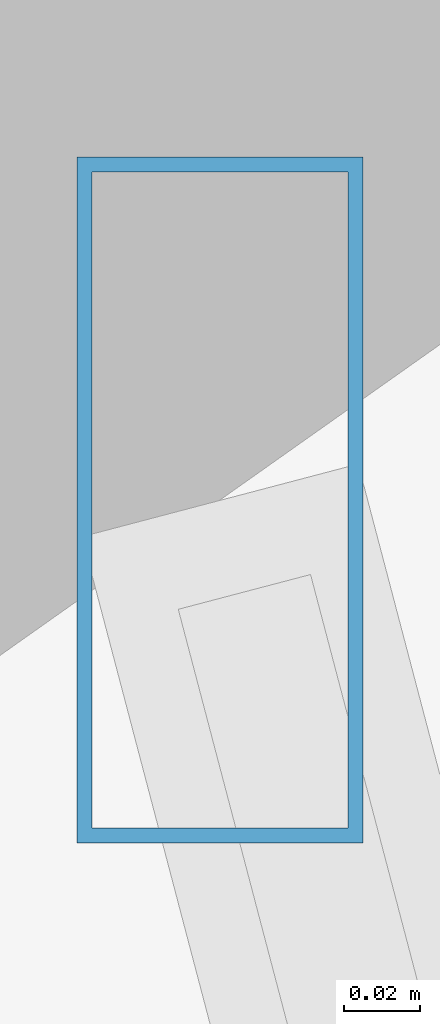
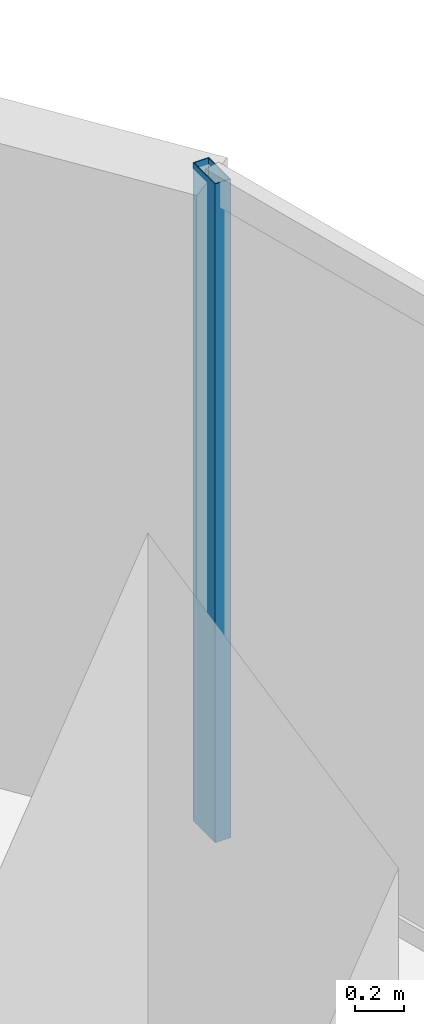
# One storey, part 17 of 33: 1 member, 1 element without a shape of its own.
"""IFC4 building model written with IfcOpenShell, lengths in metres."""

from ifc_helpers import new_model, si_unit, direction, frame, origin, origin_2d, place, context, subcontext, project, spatial, hollow_rectangle, extrude, material, material_profile, profile_set, type_object, element, aggregate, save


model = new_model("IFC4")

# Units and contexts
model_context = context("Model", 3, precision=1e-05, world=origin(), true_north=direction((0.0, 1.0)))
body_context = subcontext(model_context, "Body", "Model", "MODEL_VIEW")
ifc_project = project(units=[si_unit("LENGTHUNIT", "METRE"), si_unit("AREAUNIT", "SQUARE_METRE"), si_unit("VOLUMEUNIT", "CUBIC_METRE"), si_unit("PLANEANGLEUNIT", "RADIAN"), si_unit("MASSUNIT", "GRAM", prefix="KILO")], contexts=[model_context])

# Site, building, storey
site_placement = place(None, origin())
site = spatial("IfcSite", under=ifc_project, at=site_placement, CompositionType="ELEMENT")
building_placement = place(site_placement, origin())
building = spatial("IfcBuilding", under=site, at=building_placement, Name="Vorneva Point Tower", CompositionType="ELEMENT")
storey_placement = place(building_placement, frame((0.0, 0.0, 38.0)))
storey = spatial("IfcBuildingStorey", under=building, at=storey_placement, Name="L09", CompositionType="ELEMENT", Elevation=38.0)

# Curtain wall, member
ifc_material = material(Name="Pale anodised aluminium", Category="aluminium")
curtain_wall_type = type_object("IfcCurtainWallType", Name="CW-HTL-SYS", PredefinedType="NOTDEFINED", material=ifc_material)
curtain_wall_placement = place(storey_placement, origin())
curtain_wall = element("IfcCurtainWall", 1, at=curtain_wall_placement, inside=storey, type_object=curtain_wall_type, Name="L09 Unitised Curtain Wall CW-L09-R01", PredefinedType="NOTDEFINED")
ifc_material_profile = material_profile(ifc_material, hollow_rectangle(XDim=0.074951171875, YDim=0.179931640625, WallThickness=0.00390625, at=origin_2d()), Name="AL-MUL 180x75x4")
ifc_profile_set = profile_set([ifc_material_profile], Name="Pale anodised aluminium")
member_type = type_object("IfcMemberType", Name="CW-MUL-180", PredefinedType="MULLION", material=ifc_profile_set)
member_placement = place(storey_placement, frame((65.300537109375, 34.552978515625, -0.0400390625), z_axis=(0.0, 0.0, 1.0), x_axis=(1.0, 0.0, 0.0)))
member = element("IfcMember", 2, at=member_placement, type_object=member_type, Name="CW-L09-R01 Mullion 04", PredefinedType="MULLION", context=body_context, shape_type="SweptSolid", body=[
    extrude(hollow_rectangle(XDim=0.074951171875, YDim=0.179931640625, WallThickness=0.00390625, at=origin_2d()), origin(), (0.0, 0.0, 1.0), 3.31005859375),
])
aggregate(curtain_wall, [member])

save(model, "model.ifc")
